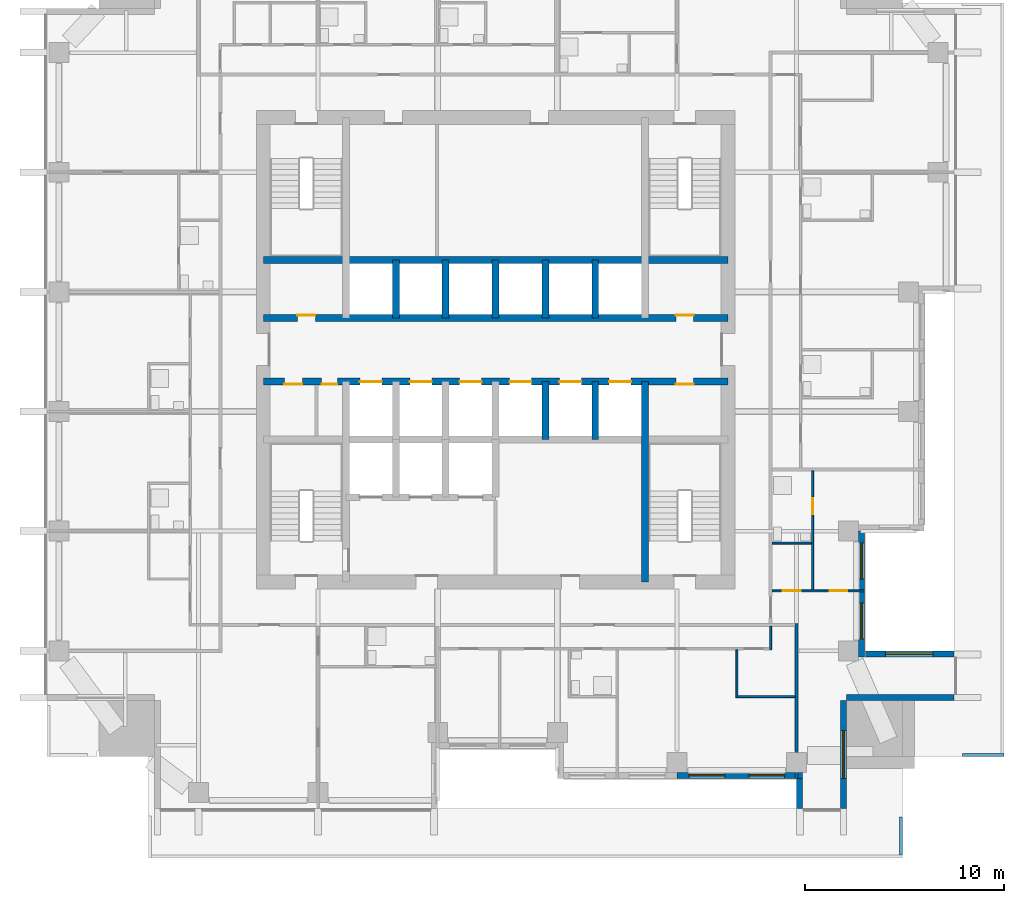
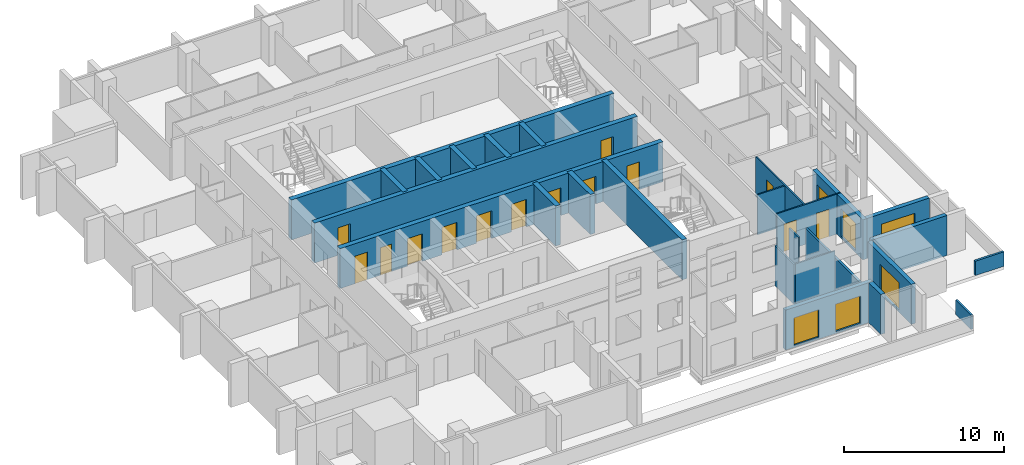
# One storey, part 6 of 14: 26 walls, 14 doors, 6 windows, 20 openings.
"""IFC4 building model written with IfcOpenShell, lengths in metres."""

from ifc_helpers import new_model, si_unit, direction, frame, frame_2d, origin, place, context, subcontext, project, spatial, rectangle, extrude, material, layer, layer_set, type_object, element, fill, save


model = new_model("IFC4")

# Units and contexts
model_context = context("Model", 3, precision=1e-05, world=origin(), true_north=direction((0.0, 1.0)))
body_context = subcontext(model_context, "Body", "Model", "MODEL_VIEW")
ifc_project = project(units=[si_unit("LENGTHUNIT", "METRE"), si_unit("AREAUNIT", "SQUARE_METRE"), si_unit("VOLUMEUNIT", "CUBIC_METRE"), si_unit("PLANEANGLEUNIT", "RADIAN"), si_unit("MASSUNIT", "GRAM", prefix="KILO")], contexts=[model_context])

# Site, building, storey
site_placement = place(None, origin())
site = spatial("IfcSite", under=ifc_project, at=site_placement, CompositionType="ELEMENT")
building_placement = place(site_placement, origin())
building = spatial("IfcBuilding", under=site, at=building_placement, Name="Amberfall Residences", CompositionType="ELEMENT")
storey_placement = place(building_placement, frame((0.0, 0.0, 133.89990234375)))
storey = spatial("IfcBuildingStorey", under=building, at=storey_placement, Name="L35", CompositionType="ELEMENT", Elevation=133.89990234375)

# Wall
ifc_material_1 = material(Name="Pale stone cladding on insulated backing", Category="masonry")
ifc_layer_1 = layer(ifc_material_1, 0.300048828125)
ifc_layer_set_1 = layer_set([ifc_layer_1], Name="Bronze clad wall 300")
wall_type_1 = type_object("IfcWallType", Name="Bronze clad wall 300", PredefinedType="SOLIDWALL", material=ifc_layer_set_1)
wall_1_placement = place(storey_placement, frame((89.75, 24.0, 0.0), z_axis=(0.0, 0.0, 1.0), x_axis=(0.0, -1.0, 0.0)))
element("IfcWall", 1, at=wall_1_placement, inside=storey, type_object=wall_type_1, Name="External wall L35 S", PredefinedType="SOLIDWALL", context=body_context, shape_type="SweptSolid", body=[
    extrude(rectangle(XDim=1.5, YDim=0.300048828125, at=frame_2d((0.75, 0.0))), origin(), (0.0, 0.0, 1.0), 3.050048828125),
])

# Wall, opening, window
wall_2_placement = place(storey_placement, frame((91.949951171875, 22.5, 0.0), z_axis=(0.0, 0.0, 1.0), x_axis=(0.0, 1.0, 0.0)))
wall_2 = element("IfcWall", 2, at=wall_2_placement, inside=storey, type_object=wall_type_1, Name="External wall L35 SE", PredefinedType="SOLIDWALL", context=body_context, shape_type="SweptSolid", body=[
    extrude(rectangle(XDim=5.39990234375, YDim=0.300048828125, at=frame_2d((2.699951171875, 0.0))), origin(), (0.0, 0.0, 1.0), 3.050048828125),
])
opening_1_placement = place(wall_2_placement, frame((1.5, 0.0, 0.14990234375)))
opening_1 = element("IfcOpeningElement", 3, at=opening_1_placement, cuts=wall_2, Name="Opening WN5", PredefinedType="OPENING", context=body_context, shape_type="SweptSolid", body=[
    extrude(rectangle(XDim=2.39990234375, YDim=2.10009765625, at=frame_2d((1.199951171875, 1.050048828125))), frame((0.0, 0.159912109375, 0.0), z_axis=(0.0, -1.0, 0.0), x_axis=(1.0, 0.0, 0.0)), (0.0, 0.0, 1.0), 0.320068359375),
])
ifc_material_2 = material(Name="Bronze aluminium framed glazing", Category="aluminium")
window_type_1 = type_object("IfcWindowType", Name="Glazed opening 2400 x 2100 bronze", PartitioningType="DOUBLE_PANEL_VERTICAL", PredefinedType="WINDOW", material=ifc_material_2)
window_1_placement = place(opening_1_placement, origin())
window_1 = element("IfcWindow", 4, at=window_1_placement, inside=storey, type_object=window_type_1, Name="Window L35 SE", OverallHeight=2.10009765625, OverallWidth=2.39990234375, PartitioningType="DOUBLE_PANEL_VERTICAL", PredefinedType="WINDOW", context=body_context, shape_type="SweptSolid", body=[
    extrude(rectangle(XDim=2.39990234375, YDim=2.10009765625, at=frame_2d((1.199951171875, 1.050048828125))), frame((0.0, 0.030029296875, 0.0), z_axis=(0.0, -1.0, 0.0), x_axis=(1.0, 0.0, 0.0)), (0.0, 0.0, 1.0), 0.06005859375),
])
fill(opening_1, window_1)

# Wall
wall_3_placement = place(storey_placement, frame((92.10009765625, 28.050048828125, 0.0), z_axis=(0.0, 0.0, 1.0), x_axis=(1.0, 0.0, 0.0)))
element("IfcWall", 5, at=wall_3_placement, inside=storey, type_object=wall_type_1, Name="External wall L35 SE", PredefinedType="SOLIDWALL", context=body_context, shape_type="SweptSolid", body=[
    extrude(rectangle(XDim=5.39990234375, YDim=0.300048828125, at=frame_2d((2.699951171875, 0.0))), origin(), (0.0, 0.0, 1.0), 3.050048828125),
])

# Wall, opening, window
wall_4_placement = place(storey_placement, frame((97.5, 30.25, 0.0), z_axis=(0.0, 0.0, 1.0), x_axis=(-1.0, 0.0, 0.0)))
wall_4 = element("IfcWall", 6, at=wall_4_placement, inside=storey, type_object=wall_type_1, Name="External wall L35 E", PredefinedType="SOLIDWALL", context=body_context, shape_type="SweptSolid", body=[
    extrude(rectangle(XDim=4.5, YDim=0.300048828125, at=frame_2d((2.25, 0.0))), origin(), (0.0, 0.0, 1.0), 3.050048828125),
])
opening_2_placement = place(wall_4_placement, frame((1.050048828125, 0.0, 0.14990234375)))
opening_2 = element("IfcOpeningElement", 7, at=opening_2_placement, cuts=wall_4, Name="Opening WN5", PredefinedType="OPENING", context=body_context, shape_type="SweptSolid", body=[
    extrude(rectangle(XDim=2.39990234375, YDim=2.10009765625, at=frame_2d((1.199951171875, 1.050048828125))), frame((0.0, 0.159912109375, 0.0), z_axis=(0.0, -1.0, 0.0), x_axis=(1.0, 0.0, 0.0)), (0.0, 0.0, 1.0), 0.320068359375),
])
window_2_placement = place(opening_2_placement, origin())
window_2 = element("IfcWindow", 8, at=window_2_placement, inside=storey, type_object=window_type_1, Name="Window L35 E", OverallHeight=2.10009765625, OverallWidth=2.39990234375, PartitioningType="DOUBLE_PANEL_VERTICAL", PredefinedType="WINDOW", context=body_context, shape_type="SweptSolid", body=[
    extrude(rectangle(XDim=2.39990234375, YDim=2.10009765625, at=frame_2d((1.199951171875, 1.050048828125))), frame((0.0, 0.030029296875, 0.0), z_axis=(0.0, -1.0, 0.0), x_axis=(1.0, 0.0, 0.0)), (0.0, 0.0, 1.0), 0.06005859375),
])
fill(opening_2, window_2)

# Wall, openings, windows
wall_5_placement = place(storey_placement, frame((83.60009765625, 24.14990234375, 0.0), z_axis=(0.0, 0.0, 1.0), x_axis=(1.0, 0.0, 0.0)))
wall_5 = element("IfcWall", 9, at=wall_5_placement, inside=storey, type_object=wall_type_1, Name="Stone wall L35 S", PredefinedType="SOLIDWALL", context=body_context, shape_type="SweptSolid", body=[
    extrude(rectangle(XDim=6.2998046875, YDim=0.300048828125, at=frame_2d((3.14990234375, 0.0))), origin(), (0.0, 0.0, 1.0), 3.050048828125),
])
opening_3_placement = place(wall_5_placement, frame((0.60009765625, 0.0, 0.14990234375)))
opening_3 = element("IfcOpeningElement", 10, at=opening_3_placement, cuts=wall_5, Name="Opening WN6", PredefinedType="OPENING", context=body_context, shape_type="SweptSolid", body=[
    extrude(rectangle(XDim=1.800048828125, YDim=2.10009765625, at=frame_2d((0.89990234375, 1.050048828125))), frame((0.0, 0.159912109375, 0.0), z_axis=(0.0, -1.0, 0.0), x_axis=(1.0, 0.0, 0.0)), (0.0, 0.0, 1.0), 0.320068359375),
])
opening_4_placement = place(wall_5_placement, frame((3.60009765625, 0.0, 0.14990234375)))
opening_4 = element("IfcOpeningElement", 11, at=opening_4_placement, cuts=wall_5, Name="Opening WN6", PredefinedType="OPENING", context=body_context, shape_type="SweptSolid", body=[
    extrude(rectangle(XDim=1.800048828125, YDim=2.10009765625, at=frame_2d((0.89990234375, 1.050048828125))), frame((0.0, 0.159912109375, 0.0), z_axis=(0.0, -1.0, 0.0), x_axis=(1.0, 0.0, 0.0)), (0.0, 0.0, 1.0), 0.320068359375),
])
window_type_2 = type_object("IfcWindowType", Name="Glazed opening 1800 x 2100 bronze", PartitioningType="DOUBLE_PANEL_VERTICAL", PredefinedType="WINDOW", material=ifc_material_2)
window_3_placement = place(opening_3_placement, origin())
window_3 = element("IfcWindow", 12, at=window_3_placement, inside=storey, type_object=window_type_2, Name="Window L35 S", OverallHeight=2.10009765625, OverallWidth=1.800048828125, PartitioningType="DOUBLE_PANEL_VERTICAL", PredefinedType="WINDOW", context=body_context, shape_type="SweptSolid", body=[
    extrude(rectangle(XDim=1.800048828125, YDim=2.10009765625, at=frame_2d((0.89990234375, 1.050048828125))), frame((0.0, 0.030029296875, 0.0), z_axis=(0.0, -1.0, 0.0), x_axis=(1.0, 0.0, 0.0)), (0.0, 0.0, 1.0), 0.06005859375),
])
fill(opening_3, window_3)
window_4_placement = place(opening_4_placement, origin())
window_4 = element("IfcWindow", 13, at=window_4_placement, inside=storey, type_object=window_type_2, Name="Window L35 S", OverallHeight=2.10009765625, OverallWidth=1.800048828125, PartitioningType="DOUBLE_PANEL_VERTICAL", PredefinedType="WINDOW", context=body_context, shape_type="SweptSolid", body=[
    extrude(rectangle(XDim=1.800048828125, YDim=2.10009765625, at=frame_2d((0.89990234375, 1.050048828125))), frame((0.0, 0.030029296875, 0.0), z_axis=(0.0, -1.0, 0.0), x_axis=(1.0, 0.0, 0.0)), (0.0, 0.0, 1.0), 0.06005859375),
])
fill(opening_4, window_4)

wall_6_placement = place(storey_placement, frame((92.85009765625, 30.10009765625, 0.0), z_axis=(0.0, 0.0, 1.0), x_axis=(0.0, 1.0, 0.0)))
wall_6 = element("IfcWall", 14, at=wall_6_placement, inside=storey, type_object=wall_type_1, Name="Stone wall L35 E", PredefinedType="SOLIDWALL", context=body_context, shape_type="SweptSolid", body=[
    extrude(rectangle(XDim=6.2998046875, YDim=0.300048828125, at=frame_2d((3.14990234375, 0.0))), origin(), (0.0, 0.0, 1.0), 3.050048828125),
])
opening_5_placement = place(wall_6_placement, frame((0.89990234375, 0.0, 0.14990234375)))
opening_5 = element("IfcOpeningElement", 15, at=opening_5_placement, cuts=wall_6, Name="Opening WN6", PredefinedType="OPENING", context=body_context, shape_type="SweptSolid", body=[
    extrude(rectangle(XDim=1.800048828125, YDim=2.10009765625, at=frame_2d((0.89990234375, 1.050048828125))), frame((0.0, 0.159912109375, 0.0), z_axis=(0.0, -1.0, 0.0), x_axis=(1.0, 0.0, 0.0)), (0.0, 0.0, 1.0), 0.320068359375),
])
opening_6_placement = place(wall_6_placement, frame((3.89990234375, 0.0, 0.14990234375)))
opening_6 = element("IfcOpeningElement", 16, at=opening_6_placement, cuts=wall_6, Name="Opening WN6", PredefinedType="OPENING", context=body_context, shape_type="SweptSolid", body=[
    extrude(rectangle(XDim=1.800048828125, YDim=2.10009765625, at=frame_2d((0.89990234375, 1.050048828125))), frame((0.0, 0.159912109375, 0.0), z_axis=(0.0, -1.0, 0.0), x_axis=(1.0, 0.0, 0.0)), (0.0, 0.0, 1.0), 0.320068359375),
])
window_5_placement = place(opening_5_placement, origin())
window_5 = element("IfcWindow", 17, at=window_5_placement, inside=storey, type_object=window_type_2, Name="Window L35 E", OverallHeight=2.10009765625, OverallWidth=1.800048828125, PartitioningType="DOUBLE_PANEL_VERTICAL", PredefinedType="WINDOW", context=body_context, shape_type="SweptSolid", body=[
    extrude(rectangle(XDim=1.800048828125, YDim=2.10009765625, at=frame_2d((0.89990234375, 1.050048828125))), frame((0.0, 0.030029296875, 0.0), z_axis=(0.0, -1.0, 0.0), x_axis=(1.0, 0.0, 0.0)), (0.0, 0.0, 1.0), 0.06005859375),
])
fill(opening_5, window_5)
window_6_placement = place(opening_6_placement, origin())
window_6 = element("IfcWindow", 18, at=window_6_placement, inside=storey, type_object=window_type_2, Name="Window L35 E", OverallHeight=2.10009765625, OverallWidth=1.800048828125, PartitioningType="DOUBLE_PANEL_VERTICAL", PredefinedType="WINDOW", context=body_context, shape_type="SweptSolid", body=[
    extrude(rectangle(XDim=1.800048828125, YDim=2.10009765625, at=frame_2d((0.89990234375, 1.050048828125))), frame((0.0, 0.030029296875, 0.0), z_axis=(0.0, -1.0, 0.0), x_axis=(1.0, 0.0, 0.0)), (0.0, 0.0, 1.0), 0.06005859375),
])
fill(opening_6, window_6)

# Wall, openings, doors
ifc_material_3 = material(Name="Concrete C60", Category="concrete")
ifc_layer_2 = layer(ifc_material_3, 0.35009765625)
ifc_layer_set_2 = layer_set([ifc_layer_2], Name="Core wall 350 C60")
wall_type_2 = type_object("IfcWallType", Name="Core wall 350 C60", PredefinedType="SHEAR", material=ifc_layer_set_2)
wall_7_placement = place(storey_placement, frame((62.85009765625, 43.89990234375, 0.0), z_axis=(0.0, 0.0, 1.0), x_axis=(1.0, 0.0, 0.0)))
wall_7 = element("IfcWall", 19, at=wall_7_placement, inside=storey, type_object=wall_type_2, Name="Core wall RW6 L35 H104", PredefinedType="SHEAR", context=body_context, shape_type="SweptSolid", body=[
    extrude(rectangle(XDim=23.2998046875, YDim=0.35009765625, at=frame_2d((11.64990234375, 0.0))), origin(), (0.0, 0.0, 1.0), 3.050048828125),
])
opening_7_placement = place(wall_7_placement, frame((1.06005859375, 0.0, 0.0)))
opening_7 = element("IfcOpeningElement", 20, at=opening_7_placement, cuts=wall_7, Name="Opening RD1", PredefinedType="OPENING", context=body_context, shape_type="SweptSolid", body=[
    extrude(rectangle(XDim=0.89990234375, YDim=2.10009765625, at=frame_2d((0.449951171875, 1.050048828125))), frame((0.0, 0.18505859375, 0.0), z_axis=(0.0, -1.0, 0.0), x_axis=(1.0, 0.0, 0.0)), (0.0, 0.0, 1.0), 0.3701171875),
])
opening_8_placement = place(wall_7_placement, frame((2.922607421875, 0.0, 0.0)))
opening_8 = element("IfcOpeningElement", 21, at=opening_8_placement, cuts=wall_7, Name="Opening RD2", PredefinedType="OPENING", context=body_context, shape_type="SweptSolid", body=[
    extrude(rectangle(XDim=0.800048828125, YDim=2.10009765625, at=frame_2d((0.39990234375, 1.050048828125))), frame((0.0, 0.18505859375, 0.0), z_axis=(0.0, -1.0, 0.0), x_axis=(1.0, 0.0, 0.0)), (0.0, 0.0, 1.0), 0.3701171875),
])
opening_9_placement = place(wall_7_placement, frame((20.6875, 0.0, 0.0)))
opening_9 = element("IfcOpeningElement", 22, at=opening_9_placement, cuts=wall_7, Name="Opening RD1", PredefinedType="OPENING", context=body_context, shape_type="SweptSolid", body=[
    extrude(rectangle(XDim=0.89990234375, YDim=2.10009765625, at=frame_2d((0.449951171875, 1.050048828125))), frame((0.0, 0.18505859375, 0.0), z_axis=(0.0, -1.0, 0.0), x_axis=(1.0, 0.0, 0.0)), (0.0, 0.0, 1.0), 0.3701171875),
])
opening_10_placement = place(wall_7_placement, frame((4.85009765625, 0.0, 0.0)))
opening_10 = element("IfcOpeningElement", 23, at=opening_10_placement, cuts=wall_7, Name="Opening LD1", PredefinedType="OPENING", context=body_context, shape_type="SweptSolid", body=[
    extrude(rectangle(XDim=1.10009765625, YDim=2.10009765625, at=frame_2d((0.550048828125, 1.050048828125))), frame((0.0, 0.18505859375, 0.0), z_axis=(0.0, -1.0, 0.0), x_axis=(1.0, 0.0, 0.0)), (0.0, 0.0, 1.0), 0.3701171875),
])
opening_11_placement = place(wall_7_placement, frame((7.35009765625, 0.0, 0.0)))
opening_11 = element("IfcOpeningElement", 24, at=opening_11_placement, cuts=wall_7, Name="Opening LD1", PredefinedType="OPENING", context=body_context, shape_type="SweptSolid", body=[
    extrude(rectangle(XDim=1.10009765625, YDim=2.10009765625, at=frame_2d((0.550048828125, 1.050048828125))), frame((0.0, 0.18505859375, 0.0), z_axis=(0.0, -1.0, 0.0), x_axis=(1.0, 0.0, 0.0)), (0.0, 0.0, 1.0), 0.3701171875),
])
opening_12_placement = place(wall_7_placement, frame((9.85009765625, 0.0, 0.0)))
opening_12 = element("IfcOpeningElement", 25, at=opening_12_placement, cuts=wall_7, Name="Opening LD1", PredefinedType="OPENING", context=body_context, shape_type="SweptSolid", body=[
    extrude(rectangle(XDim=1.10009765625, YDim=2.10009765625, at=frame_2d((0.550048828125, 1.050048828125))), frame((0.0, 0.18505859375, 0.0), z_axis=(0.0, -1.0, 0.0), x_axis=(1.0, 0.0, 0.0)), (0.0, 0.0, 1.0), 0.3701171875),
])
opening_13_placement = place(wall_7_placement, frame((12.35009765625, 0.0, 0.0)))
opening_13 = element("IfcOpeningElement", 26, at=opening_13_placement, cuts=wall_7, Name="Opening LD1", PredefinedType="OPENING", context=body_context, shape_type="SweptSolid", body=[
    extrude(rectangle(XDim=1.10009765625, YDim=2.10009765625, at=frame_2d((0.550048828125, 1.050048828125))), frame((0.0, 0.18505859375, 0.0), z_axis=(0.0, -1.0, 0.0), x_axis=(1.0, 0.0, 0.0)), (0.0, 0.0, 1.0), 0.3701171875),
])
opening_14_placement = place(wall_7_placement, frame((14.85009765625, 0.0, 0.0)))
opening_14 = element("IfcOpeningElement", 27, at=opening_14_placement, cuts=wall_7, Name="Opening LD1", PredefinedType="OPENING", context=body_context, shape_type="SweptSolid", body=[
    extrude(rectangle(XDim=1.10009765625, YDim=2.10009765625, at=frame_2d((0.550048828125, 1.050048828125))), frame((0.0, 0.18505859375, 0.0), z_axis=(0.0, -1.0, 0.0), x_axis=(1.0, 0.0, 0.0)), (0.0, 0.0, 1.0), 0.3701171875),
])
opening_15_placement = place(wall_7_placement, frame((17.35009765625, 0.0, 0.0)))
opening_15 = element("IfcOpeningElement", 28, at=opening_15_placement, cuts=wall_7, Name="Opening LD1", PredefinedType="OPENING", context=body_context, shape_type="SweptSolid", body=[
    extrude(rectangle(XDim=1.10009765625, YDim=2.10009765625, at=frame_2d((0.550048828125, 1.050048828125))), frame((0.0, 0.18505859375, 0.0), z_axis=(0.0, -1.0, 0.0), x_axis=(1.0, 0.0, 0.0)), (0.0, 0.0, 1.0), 0.3701171875),
])
ifc_material_4 = material(Name="Steel fire door set", Category="steel")
door_type_1 = type_object("IfcDoorType", Name="Lift landing door 1100 x 2100", OperationType="DOUBLE_DOOR_SLIDING", PredefinedType="DOOR", material=ifc_material_4)
door_1_placement = place(opening_10_placement, origin())
door_1 = element("IfcDoor", 29, at=door_1_placement, inside=storey, type_object=door_type_1, Name="Landing door LP1 L35", OperationType="DOUBLE_DOOR_SLIDING", OverallHeight=2.10009765625, OverallWidth=1.10009765625, PredefinedType="DOOR", context=body_context, shape_type="SweptSolid", body=[
    extrude(rectangle(XDim=1.10009765625, YDim=2.10009765625, at=frame_2d((0.550048828125, 1.050048828125))), frame((0.0, 0.02490234375, 0.0), z_axis=(0.0, -1.0, 0.0), x_axis=(1.0, 0.0, 0.0)), (0.0, 0.0, 1.0), 0.050048828125),
])
fill(opening_10, door_1)
door_2_placement = place(opening_11_placement, origin())
door_2 = element("IfcDoor", 30, at=door_2_placement, inside=storey, type_object=door_type_1, Name="Landing door LP2 L35", OperationType="DOUBLE_DOOR_SLIDING", OverallHeight=2.10009765625, OverallWidth=1.10009765625, PredefinedType="DOOR", context=body_context, shape_type="SweptSolid", body=[
    extrude(rectangle(XDim=1.10009765625, YDim=2.10009765625, at=frame_2d((0.550048828125, 1.050048828125))), frame((0.0, 0.02490234375, 0.0), z_axis=(0.0, -1.0, 0.0), x_axis=(1.0, 0.0, 0.0)), (0.0, 0.0, 1.0), 0.050048828125),
])
fill(opening_11, door_2)
door_3_placement = place(opening_12_placement, origin())
door_3 = element("IfcDoor", 31, at=door_3_placement, inside=storey, type_object=door_type_1, Name="Landing door LP3 L35", OperationType="DOUBLE_DOOR_SLIDING", OverallHeight=2.10009765625, OverallWidth=1.10009765625, PredefinedType="DOOR", context=body_context, shape_type="SweptSolid", body=[
    extrude(rectangle(XDim=1.10009765625, YDim=2.10009765625, at=frame_2d((0.550048828125, 1.050048828125))), frame((0.0, 0.02490234375, 0.0), z_axis=(0.0, -1.0, 0.0), x_axis=(1.0, 0.0, 0.0)), (0.0, 0.0, 1.0), 0.050048828125),
])
fill(opening_12, door_3)
door_4_placement = place(opening_13_placement, origin())
door_4 = element("IfcDoor", 32, at=door_4_placement, inside=storey, type_object=door_type_1, Name="Landing door LP4 L35", OperationType="DOUBLE_DOOR_SLIDING", OverallHeight=2.10009765625, OverallWidth=1.10009765625, PredefinedType="DOOR", context=body_context, shape_type="SweptSolid", body=[
    extrude(rectangle(XDim=1.10009765625, YDim=2.10009765625, at=frame_2d((0.550048828125, 1.050048828125))), frame((0.0, 0.02490234375, 0.0), z_axis=(0.0, -1.0, 0.0), x_axis=(1.0, 0.0, 0.0)), (0.0, 0.0, 1.0), 0.050048828125),
])
fill(opening_13, door_4)
door_5_placement = place(opening_14_placement, origin())
door_5 = element("IfcDoor", 33, at=door_5_placement, inside=storey, type_object=door_type_1, Name="Landing door LP5 L35", OperationType="DOUBLE_DOOR_SLIDING", OverallHeight=2.10009765625, OverallWidth=1.10009765625, PredefinedType="DOOR", context=body_context, shape_type="SweptSolid", body=[
    extrude(rectangle(XDim=1.10009765625, YDim=2.10009765625, at=frame_2d((0.550048828125, 1.050048828125))), frame((0.0, 0.02490234375, 0.0), z_axis=(0.0, -1.0, 0.0), x_axis=(1.0, 0.0, 0.0)), (0.0, 0.0, 1.0), 0.050048828125),
])
fill(opening_14, door_5)
door_6_placement = place(opening_15_placement, origin())
door_6 = element("IfcDoor", 34, at=door_6_placement, inside=storey, type_object=door_type_1, Name="Landing door LP6 L35", OperationType="DOUBLE_DOOR_SLIDING", OverallHeight=2.10009765625, OverallWidth=1.10009765625, PredefinedType="DOOR", context=body_context, shape_type="SweptSolid", body=[
    extrude(rectangle(XDim=1.10009765625, YDim=2.10009765625, at=frame_2d((0.550048828125, 1.050048828125))), frame((0.0, 0.02490234375, 0.0), z_axis=(0.0, -1.0, 0.0), x_axis=(1.0, 0.0, 0.0)), (0.0, 0.0, 1.0), 0.050048828125),
])
fill(opening_15, door_6)
door_type_2 = type_object("IfcDoorType", Name="Service room door 800 x 2100", OperationType="SINGLE_SWING_LEFT", PredefinedType="DOOR", material=ifc_material_4)
door_7_placement = place(opening_8_placement, origin())
door_7 = element("IfcDoor", 35, at=door_7_placement, inside=storey, type_object=door_type_2, Name="RD2 L35", OperationType="SINGLE_SWING_RIGHT", OverallHeight=2.10009765625, OverallWidth=0.800048828125, PredefinedType="DOOR", context=body_context, shape_type="SweptSolid", body=[
    extrude(rectangle(XDim=0.800048828125, YDim=2.10009765625, at=frame_2d((0.39990234375, 1.050048828125))), frame((0.0, -0.1123046875, 0.0), z_axis=(0.0, -1.0, 0.0), x_axis=(1.0, 0.0, 0.0)), (0.0, 0.0, 1.0), 0.050048828125),
])
fill(opening_8, door_7)
door_type_3 = type_object("IfcDoorType", Name="Service room door 900 x 2100", OperationType="SINGLE_SWING_LEFT", PredefinedType="DOOR", material=ifc_material_4)
door_8_placement = place(opening_7_placement, origin())
door_8 = element("IfcDoor", 36, at=door_8_placement, inside=storey, type_object=door_type_3, Name="RD1 L35", OperationType="SINGLE_SWING_LEFT", OverallHeight=2.10009765625, OverallWidth=0.89990234375, PredefinedType="DOOR", context=body_context, shape_type="SweptSolid", body=[
    extrude(rectangle(XDim=0.89990234375, YDim=2.10009765625, at=frame_2d((0.449951171875, 1.050048828125))), frame((0.0, -0.1123046875, 0.0), z_axis=(0.0, -1.0, 0.0), x_axis=(1.0, 0.0, 0.0)), (0.0, 0.0, 1.0), 0.050048828125),
])
fill(opening_7, door_8)
door_9_placement = place(opening_9_placement, origin())
door_9 = element("IfcDoor", 37, at=door_9_placement, inside=storey, type_object=door_type_3, Name="RD1 L35", OperationType="SINGLE_SWING_LEFT", OverallHeight=2.10009765625, OverallWidth=0.89990234375, PredefinedType="DOOR", context=body_context, shape_type="SweptSolid", body=[
    extrude(rectangle(XDim=0.89990234375, YDim=2.10009765625, at=frame_2d((0.449951171875, 1.050048828125))), frame((0.0, -0.1123046875, 0.0), z_axis=(0.0, -1.0, 0.0), x_axis=(1.0, 0.0, 0.0)), (0.0, 0.0, 1.0), 0.050048828125),
])
fill(opening_9, door_9)

wall_8_placement = place(storey_placement, frame((62.85009765625, 47.10009765625, 0.0), z_axis=(0.0, 0.0, 1.0), x_axis=(1.0, 0.0, 0.0)))
wall_8 = element("IfcWall", 38, at=wall_8_placement, inside=storey, type_object=wall_type_2, Name="Core wall RW6 L35 H136", PredefinedType="SHEAR", context=body_context, shape_type="SweptSolid", body=[
    extrude(rectangle(XDim=23.2998046875, YDim=0.35009765625, at=frame_2d((11.64990234375, 0.0))), origin(), (0.0, 0.0, 1.0), 3.050048828125),
])
opening_16_placement = place(wall_8_placement, frame((1.71240234375, 0.0, 0.0)))
opening_16 = element("IfcOpeningElement", 39, at=opening_16_placement, cuts=wall_8, Name="Opening RD1", PredefinedType="OPENING", context=body_context, shape_type="SweptSolid", body=[
    extrude(rectangle(XDim=0.89990234375, YDim=2.10009765625, at=frame_2d((0.449951171875, 1.050048828125))), frame((0.0, 0.18505859375, 0.0), z_axis=(0.0, -1.0, 0.0), x_axis=(1.0, 0.0, 0.0)), (0.0, 0.0, 1.0), 0.3701171875),
])
opening_17_placement = place(wall_8_placement, frame((20.6875, 0.0, 0.0)))
opening_17 = element("IfcOpeningElement", 40, at=opening_17_placement, cuts=wall_8, Name="Opening RD1", PredefinedType="OPENING", context=body_context, shape_type="SweptSolid", body=[
    extrude(rectangle(XDim=0.89990234375, YDim=2.10009765625, at=frame_2d((0.449951171875, 1.050048828125))), frame((0.0, 0.18505859375, 0.0), z_axis=(0.0, -1.0, 0.0), x_axis=(1.0, 0.0, 0.0)), (0.0, 0.0, 1.0), 0.3701171875),
])
door_10_placement = place(opening_16_placement, origin())
door_10 = element("IfcDoor", 41, at=door_10_placement, inside=storey, type_object=door_type_3, Name="RD1 L35", OperationType="SINGLE_SWING_LEFT", OverallHeight=2.10009765625, OverallWidth=0.89990234375, PredefinedType="DOOR", context=body_context, shape_type="SweptSolid", body=[
    extrude(rectangle(XDim=0.89990234375, YDim=2.10009765625, at=frame_2d((0.449951171875, 1.050048828125))), frame((0.0, 0.16259765625, 0.0), z_axis=(0.0, -1.0, 0.0), x_axis=(1.0, 0.0, 0.0)), (0.0, 0.0, 1.0), 0.050048828125),
])
fill(opening_16, door_10)
door_11_placement = place(opening_17_placement, origin())
door_11 = element("IfcDoor", 42, at=door_11_placement, inside=storey, type_object=door_type_3, Name="RD1 L35", OperationType="SINGLE_SWING_LEFT", OverallHeight=2.10009765625, OverallWidth=0.89990234375, PredefinedType="DOOR", context=body_context, shape_type="SweptSolid", body=[
    extrude(rectangle(XDim=0.89990234375, YDim=2.10009765625, at=frame_2d((0.449951171875, 1.050048828125))), frame((0.0, 0.16259765625, 0.0), z_axis=(0.0, -1.0, 0.0), x_axis=(1.0, 0.0, 0.0)), (0.0, 0.0, 1.0), 0.050048828125),
])
fill(opening_17, door_11)

# Walls
wall_9_placement = place(storey_placement, frame((62.85009765625, 50.0, 0.0), z_axis=(0.0, 0.0, 1.0), x_axis=(1.0, 0.0, 0.0)))
element("IfcWall", 43, at=wall_9_placement, inside=storey, type_object=wall_type_2, Name="Core wall RW6 L35 H165", PredefinedType="SHEAR", context=body_context, shape_type="SweptSolid", body=[
    extrude(rectangle(XDim=23.2998046875, YDim=0.35009765625, at=frame_2d((11.64990234375, 0.0))), origin(), (0.0, 0.0, 1.0), 3.050048828125),
])
wall_10_placement = place(storey_placement, frame((82.0, 33.85009765625, 0.0), z_axis=(0.0, 0.0, 1.0), x_axis=(0.0, 1.0, 0.0)))
element("IfcWall", 44, at=wall_10_placement, inside=storey, type_object=wall_type_2, Name="Core wall RW6 L35 V195S", PredefinedType="SHEAR", context=body_context, shape_type="SweptSolid", body=[
    extrude(rectangle(XDim=10.0498046875, YDim=0.35009765625, at=frame_2d((5.02490234375, 0.0))), origin(), (0.0, 0.0, 1.0), 3.050048828125),
])
for number, where, z_axis, x_axis, name in (
    (45, (69.5, 47.10009765625, 0.0), (0.0, 0.0, 1.0), (0.0, 1.0, 0.0), "Core wall RW6 L35 HPD1"),
    (46, (72.0, 47.10009765625, 0.0), (0.0, 0.0, 1.0), (0.0, 1.0, 0.0), "Core wall RW6 L35 HPD2"),
    (47, (74.5, 47.10009765625, 0.0), (0.0, 0.0, 1.0), (0.0, 1.0, 0.0), "Core wall RW6 L35 HPD3"),
    (48, (77.0, 41.0, 0.0), (0.0, 0.0, 1.0), (0.0, 1.0, 0.0), "Core wall RW6 L35 LPD4"),
    (49, (77.0, 47.10009765625, 0.0), (0.0, 0.0, 1.0), (0.0, 1.0, 0.0), "Core wall RW6 L35 HPD4"),
    (50, (79.5, 41.0, 0.0), (0.0, 0.0, 1.0), (0.0, 1.0, 0.0), "Core wall RW6 L35 LPD5"),
    (51, (79.5, 47.10009765625, 0.0), (0.0, 0.0, 1.0), (0.0, 1.0, 0.0), "Core wall RW6 L35 HPD5"),
):
    element("IfcWall", number, at=place(storey_placement, frame(where, z_axis=z_axis, x_axis=x_axis)), inside=storey, type_object=wall_type_2, Name=name, PredefinedType="SHEAR", context=body_context, shape_type="SweptSolid", body=[
        extrude(rectangle(XDim=2.89990234375, YDim=0.35009765625, at=frame_2d((1.449951171875, 0.0))), origin(), (0.0, 0.0, 1.0), 3.050048828125),
    ])
ifc_material_5 = material(Name="Gypsum board on metal stud")
ifc_layer_3 = layer(ifc_material_5, 0.10009765625)
ifc_layer_set_3 = layer_set([ifc_layer_3], Name="Flat partition 100")
wall_type_3 = type_object("IfcWallType", Name="Flat partition 100", PredefinedType="PARTITIONING", material=ifc_layer_set_3)
wall_11_placement = place(storey_placement, frame((86.60009765625, 28.050048828125, 0.0), z_axis=(0.0, 0.0, 1.0), x_axis=(0.0, 1.0, 0.0)))
element("IfcWall", 52, at=wall_11_placement, inside=storey, type_object=wall_type_3, Name="Partition 019", PredefinedType="PARTITIONING", context=body_context, shape_type="SweptSolid", body=[
    extrude(rectangle(XDim=2.39990234375, YDim=0.10009765625, at=frame_2d((1.199951171875, 0.0))), origin(), (0.0, 0.0, 1.0), 3.050048828125),
])
wall_12_placement = place(storey_placement, frame((88.300048828125, 30.449951171875, 0.0), z_axis=(0.0, 0.0, 1.0), x_axis=(0.0, 1.0, 0.0)))
element("IfcWall", 53, at=wall_12_placement, inside=storey, type_object=wall_type_3, Name="Partition 020", PredefinedType="PARTITIONING", context=body_context, shape_type="SweptSolid", body=[
    extrude(rectangle(XDim=1.175048828125, YDim=0.10009765625, at=frame_2d((0.58740234375, 0.0))), origin(), (0.0, 0.0, 1.0), 3.050048828125),
])

# Wall, opening, door
wall_13_placement = place(storey_placement, frame((90.39990234375, 33.449951171875, 0.0), z_axis=(0.0, 0.0, 1.0), x_axis=(0.0, 1.0, 0.0)))
wall_13 = element("IfcWall", 54, at=wall_13_placement, inside=storey, type_object=wall_type_3, Name="Partition 022", PredefinedType="PARTITIONING", context=body_context, shape_type="SweptSolid", body=[
    extrude(rectangle(XDim=5.97509765625, YDim=0.10009765625, at=frame_2d((2.987548828125, 0.0))), origin(), (0.0, 0.0, 1.0), 3.050048828125),
])
opening_18_placement = place(wall_13_placement, frame((3.800048828125, 0.0, 0.0)))
opening_18 = element("IfcOpeningElement", 55, at=opening_18_placement, cuts=wall_13, Name="Opening D42", PredefinedType="OPENING", context=body_context, shape_type="SweptSolid", body=[
    extrude(rectangle(XDim=0.800048828125, YDim=2.10009765625, at=frame_2d((0.39990234375, 1.050048828125))), frame((0.0, 0.06005859375, 0.0), z_axis=(0.0, -1.0, 0.0), x_axis=(1.0, 0.0, 0.0)), (0.0, 0.0, 1.0), 0.1201171875),
])
ifc_material_6 = material(Name="Timber", Category="wood")
door_type_4 = type_object("IfcDoorType", Name="Bathroom door 800 x 2100", OperationType="SINGLE_SWING_LEFT", PredefinedType="DOOR", material=ifc_material_6)
door_12_placement = place(opening_18_placement, origin())
door_12 = element("IfcDoor", 56, at=door_12_placement, inside=storey, type_object=door_type_4, Name="Door 3503 bath1", OperationType="SINGLE_SWING_LEFT", OverallHeight=2.10009765625, OverallWidth=0.800048828125, PredefinedType="DOOR", context=body_context, shape_type="SweptSolid", body=[
    extrude(rectangle(XDim=0.800048828125, YDim=2.10009765625, at=frame_2d((0.39990234375, 1.050048828125))), frame((0.0, 0.02490234375, 0.0), z_axis=(0.0, -1.0, 0.0), x_axis=(1.0, 0.0, 0.0)), (0.0, 0.0, 1.0), 0.050048828125),
])
fill(opening_18, door_12)

# Wall
wall_14_placement = place(storey_placement, frame((88.375, 35.800048828125, 0.0), z_axis=(0.0, 0.0, 1.0), x_axis=(1.0, 0.0, 0.0)))
element("IfcWall", 57, at=wall_14_placement, inside=storey, type_object=wall_type_3, Name="Partition 042", PredefinedType="PARTITIONING", context=body_context, shape_type="SweptSolid", body=[
    extrude(rectangle(XDim=1.97509765625, YDim=0.10009765625, at=frame_2d((0.987548828125, 0.0))), origin(), (0.0, 0.0, 1.0), 3.050048828125),
])

# Wall, openings, doors
wall_15_placement = place(storey_placement, frame((88.375, 33.39990234375, 0.0), z_axis=(0.0, 0.0, 1.0), x_axis=(1.0, 0.0, 0.0)))
wall_15 = element("IfcWall", 58, at=wall_15_placement, inside=storey, type_object=wall_type_3, Name="Partition 044", PredefinedType="PARTITIONING", context=body_context, shape_type="SweptSolid", body=[
    extrude(rectangle(XDim=4.625, YDim=0.10009765625, at=frame_2d((2.3125, 0.0))), origin(), (0.0, 0.0, 1.0), 3.050048828125),
])
opening_19_placement = place(wall_15_placement, frame((0.52490234375, 0.0, 0.0)))
opening_19 = element("IfcOpeningElement", 59, at=opening_19_placement, cuts=wall_15, Name="Opening D41", PredefinedType="OPENING", context=body_context, shape_type="SweptSolid", body=[
    extrude(rectangle(XDim=0.89990234375, YDim=2.10009765625, at=frame_2d((0.449951171875, 1.050048828125))), frame((0.0, 0.06005859375, 0.0), z_axis=(0.0, -1.0, 0.0), x_axis=(1.0, 0.0, 0.0)), (0.0, 0.0, 1.0), 0.1201171875),
])
opening_20_placement = place(wall_15_placement, frame((2.875, 0.0, 0.0)))
opening_20 = element("IfcOpeningElement", 60, at=opening_20_placement, cuts=wall_15, Name="Opening D41", PredefinedType="OPENING", context=body_context, shape_type="SweptSolid", body=[
    extrude(rectangle(XDim=0.89990234375, YDim=2.10009765625, at=frame_2d((0.449951171875, 1.050048828125))), frame((0.0, 0.06005859375, 0.0), z_axis=(0.0, -1.0, 0.0), x_axis=(1.0, 0.0, 0.0)), (0.0, 0.0, 1.0), 0.1201171875),
])
door_type_5 = type_object("IfcDoorType", Name="Internal door 900 x 2100", OperationType="SINGLE_SWING_LEFT", PredefinedType="DOOR", material=ifc_material_6)
door_13_placement = place(opening_19_placement, origin())
door_13 = element("IfcDoor", 61, at=door_13_placement, inside=storey, type_object=door_type_5, Name="Door 3503 kitchen", OperationType="SINGLE_SWING_LEFT", OverallHeight=2.10009765625, OverallWidth=0.89990234375, PredefinedType="DOOR", context=body_context, shape_type="SweptSolid", body=[
    extrude(rectangle(XDim=0.89990234375, YDim=2.10009765625, at=frame_2d((0.449951171875, 1.050048828125))), frame((0.0, 0.02490234375, 0.0), z_axis=(0.0, -1.0, 0.0), x_axis=(1.0, 0.0, 0.0)), (0.0, 0.0, 1.0), 0.050048828125),
])
fill(opening_19, door_13)
door_14_placement = place(opening_20_placement, origin())
door_14 = element("IfcDoor", 62, at=door_14_placement, inside=storey, type_object=door_type_5, Name="Door 3503 bedroom1", OperationType="SINGLE_SWING_LEFT", OverallHeight=2.10009765625, OverallWidth=0.89990234375, PredefinedType="DOOR", context=body_context, shape_type="SweptSolid", body=[
    extrude(rectangle(XDim=0.89990234375, YDim=2.10009765625, at=frame_2d((0.449951171875, 1.050048828125))), frame((0.0, 0.02490234375, 0.0), z_axis=(0.0, -1.0, 0.0), x_axis=(1.0, 0.0, 0.0)), (0.0, 0.0, 1.0), 0.050048828125),
])
fill(opening_20, door_14)

# Walls
wall_16_placement = place(storey_placement, frame((86.64990234375, 28.10009765625, 0.0), z_axis=(0.0, 0.0, 1.0), x_axis=(1.0, 0.0, 0.0)))
element("IfcWall", 63, at=wall_16_placement, inside=storey, type_object=wall_type_3, Name="Partition 049", PredefinedType="PARTITIONING", context=body_context, shape_type="SweptSolid", body=[
    extrude(rectangle(XDim=2.875, YDim=0.10009765625, at=frame_2d((1.4375, 0.0))), origin(), (0.0, 0.0, 1.0), 3.050048828125),
])
ifc_material_7 = material(Name="Blockwork, plastered", Category="masonry")
ifc_layer_4 = layer(ifc_material_7, 0.14990234375)
ifc_layer_set_4 = layer_set([ifc_layer_4], Name="Flat separating wall 150")
wall_type_4 = type_object("IfcWallType", Name="Flat separating wall 150", PredefinedType="PARTITIONING", material=ifc_layer_set_4)
wall_17_placement = place(storey_placement, frame((89.60009765625, 24.0, 0.0), z_axis=(0.0, 0.0, 1.0), x_axis=(0.0, 1.0, 0.0)))
element("IfcWall", 64, at=wall_17_placement, inside=storey, type_object=wall_type_4, Name="Separating wall 055", PredefinedType="PARTITIONING", context=body_context, shape_type="SweptSolid", body=[
    extrude(rectangle(XDim=7.77490234375, YDim=0.14990234375, at=frame_2d((3.887451171875, 0.0))), origin(), (0.0, 0.0, 1.0), 2.510009765625),
])
ifc_material_8 = material(Name="Concrete C40", Category="concrete")
ifc_layer_5 = layer(ifc_material_8, 0.14990234375)
ifc_layer_set_5 = layer_set([ifc_layer_5], Name="Ledge parapet 150")
wall_type_5 = type_object("IfcWallType", Name="Ledge parapet 150", PredefinedType="PARAPET", material=ifc_layer_set_5)
wall_18_placement = place(storey_placement, frame((94.824951171875, 20.14990234375, 0.0), z_axis=(0.0, 0.0, 1.0), x_axis=(0.0, 1.0, 0.0)))
element("IfcWall", 65, at=wall_18_placement, inside=storey, type_object=wall_type_5, Name="Roof parapet L35 1", PredefinedType="PARAPET", context=body_context, shape_type="SweptSolid", body=[
    extrude(rectangle(XDim=1.922119140625, YDim=0.14990234375, at=frame_2d((0.9609375, 0.0))), origin(), (0.0, 0.0, 1.0), 1.10009765625),
])
wall_19_placement = place(storey_placement, frame((97.927978515625, 25.175048828125, 0.0), z_axis=(0.0, 0.0, 1.0), x_axis=(1.0, 0.0, 0.0)))
element("IfcWall", 66, at=wall_19_placement, inside=storey, type_object=wall_type_5, Name="Roof parapet L35 2", PredefinedType="PARAPET", context=body_context, shape_type="SweptSolid", body=[
    extrude(rectangle(XDim=2.072021484375, YDim=0.14990234375, at=frame_2d((1.0361328125, 0.0))), origin(), (0.0, 0.0, 1.0), 1.10009765625),
])

save(model, "model.ifc")
